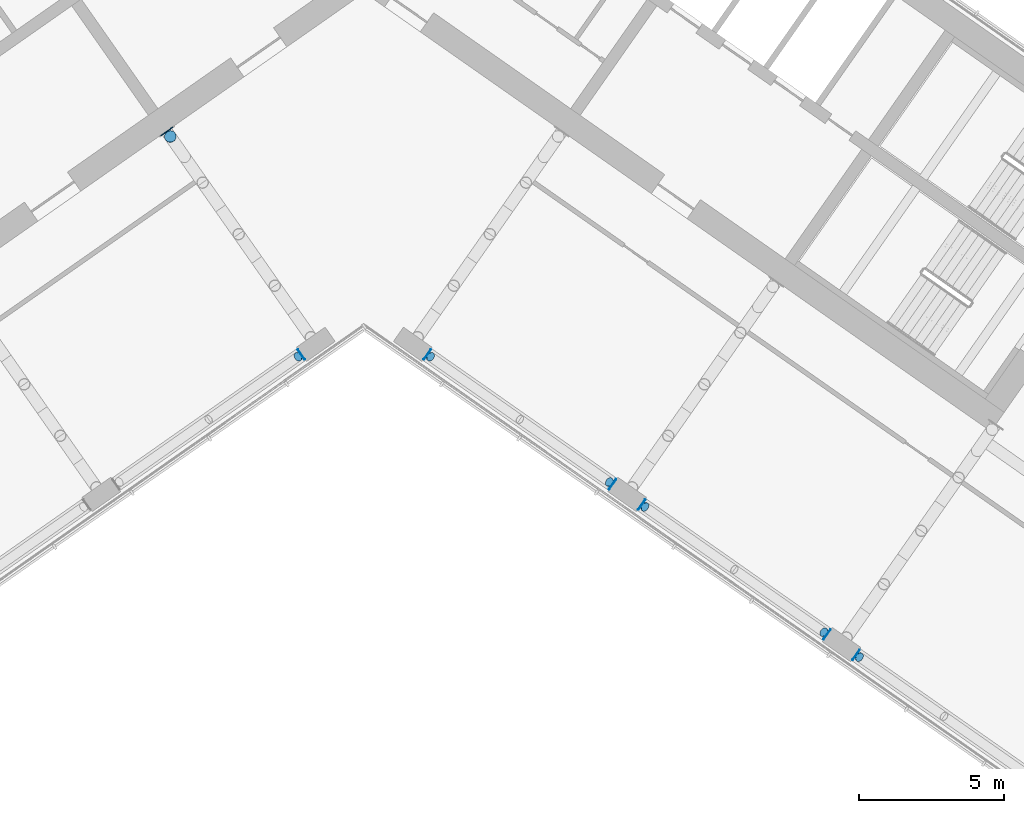
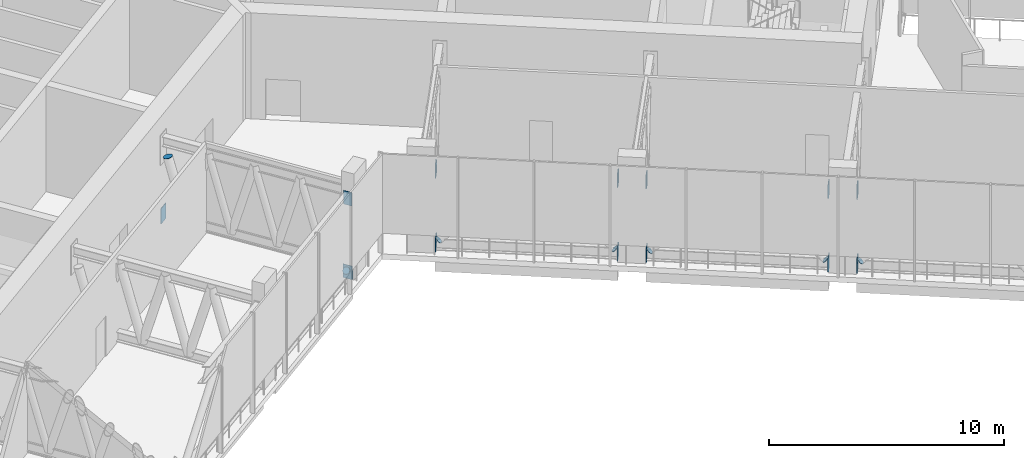
# One storey, part 10 of 19: 20 discrete accessories.
"""IFC4 building model written with IfcOpenShell, lengths in metres."""

from ifc_helpers import new_model, si_unit, direction, frame, origin, origin_2d, place, context, subcontext, project, spatial, rectangle, circle, extrude, material, layer, layer_set, material_profile, profile_set, type_object, element, save


model = new_model("IFC4")

# Units and contexts
model_context = context("Model", 3, precision=1e-05, world=origin(), true_north=direction((0.0, 1.0)))
body_context = subcontext(model_context, "Body", "Model", "MODEL_VIEW")
ifc_project = project(units=[si_unit("LENGTHUNIT", "METRE"), si_unit("AREAUNIT", "SQUARE_METRE"), si_unit("VOLUMEUNIT", "CUBIC_METRE"), si_unit("PLANEANGLEUNIT", "RADIAN"), si_unit("MASSUNIT", "GRAM", prefix="KILO")], contexts=[model_context])

# Site, building, storey
site_placement = place(None, origin())
site = spatial("IfcSite", under=ifc_project, at=site_placement, CompositionType="ELEMENT")
building_placement = place(site_placement, origin())
building = spatial("IfcBuilding", under=site, at=building_placement, Name="Tel Ilan Convention Tower", CompositionType="ELEMENT")
storey_placement = place(building_placement, frame((0.0, 0.0, 213.89990234375)))
storey = spatial("IfcBuildingStorey", under=building, at=storey_placement, Name="L50", CompositionType="ELEMENT", Elevation=213.89990234375)

# Discrete accessories
ifc_material_1 = material(Name="Steel S355", Category="steel")
ifc_layer_1 = layer(ifc_material_1, 0.030029296875)
ifc_layer_set_1 = layer_set([ifc_layer_1], Name="Cast-in Plate 30 mm Steel S355")
discrete_accessory_type_1 = type_object("IfcDiscreteAccessoryType", Name="Cast-in Plate 30 mm Steel S355", PredefinedType="ANCHORPLATE", material=ifc_layer_set_1)
discrete_accessory_1_placement = place(storey_placement, frame((-6.790283203125, -5.99365234375, -0.0498046875), z_axis=(0.0, 0.0, 1.0), x_axis=(-0.573576436351, 0.819152044289, 0.0)))
element("IfcDiscreteAccessory", 1, at=discrete_accessory_1_placement, inside=storey, type_object=discrete_accessory_type_1, Name="L50 W-F1 outrigger cast-in plate", PredefinedType="ANCHORPLATE", context=body_context, shape_type="SweptSolid", body=[
    extrude(rectangle(XDim=0.030029296875, YDim=0.5, at=origin_2d()), origin(), (0.0, 0.0, 1.0), 0.800048828125),
])
ifc_material_2 = material(Name="Steel S355", Category="steel")
ifc_material_profile_1 = material_profile(ifc_material_2, circle(Radius=0.161865234375, at=origin_2d()), Name="End Cap Disc 324 mm Steel S355")
ifc_profile_set_1 = profile_set([ifc_material_profile_1], Name="Steel S355")
discrete_accessory_type_2 = type_object("IfcDiscreteAccessoryType", Name="End Cap Disc 324 mm Steel S355", PredefinedType="BRACKET", material=ifc_profile_set_1)
for number, where, z_axis, x_axis, name in (
    (2, (-2.28173828125, -13.744384765625, 0.49951171875), (0.586019869564, 0.415097407608, -0.695898595108), (-0.57801734078, 0.816024481102, 0.0), "L50 W-F1-W-F2 belt end cap"),
    (3, (2.28173828125, -13.744384765625, 0.49951171875), (-0.586019869564, 0.415097407608, -0.695898595108), (-0.57801734078, -0.816024481102, 0.0), "L50 E-F1-E-F2 belt end cap"),
    (4, (8.421142578125, -18.043212890625, 0.49951171875), (0.586019869564, -0.415097407608, -0.695898595108), (0.57801734078, 0.816024481102, 0.0), "L50 E-F1-E-F2 belt end cap"),
):
    element("IfcDiscreteAccessory", number, at=place(storey_placement, frame(where, z_axis=z_axis, x_axis=x_axis)), inside=storey, type_object=discrete_accessory_type_2, Name=name, PredefinedType="BRACKET", context=body_context, shape_type="SweptSolid", body=[
        extrude(circle(Radius=0.161865234375, at=origin_2d()), origin(), (0.0, 0.0, 1.0), 0.02001953125),
    ])
discrete_accessory_2_placement = place(storey_placement, frame((9.654296875, -18.906494140625, 0.49951171875), z_axis=(-0.588968139066, 0.404915595608, -0.699399665141), x_axis=(-0.566528822887, -0.824041924199, 0.0)))
element("IfcDiscreteAccessory", 5, at=discrete_accessory_2_placement, inside=storey, type_object=discrete_accessory_type_2, Name="L50 E-F2-E-F3 belt end cap", PredefinedType="BRACKET", context=body_context, shape_type="SweptSolid", body=[
    extrude(circle(Radius=0.161865234375, at=origin_2d()), origin(), (0.0, 0.0, 1.0), 0.019775390625),
])
for number, where, z_axis, x_axis, name in (
    (6, (15.79345703125, -23.205322265625, 0.49951171875), (0.586019869564, -0.415097407608, -0.695898595108), (0.57801734078, 0.816024481102, 0.0), "L50 E-F2-E-F3 belt end cap"),
    (7, (17.02880859375, -24.0703125, 0.510498046875), (-0.57084084584, 0.400803147079, -0.716587444777), (-0.574630421476, -0.818413024526, 0.0), "L50 E-F3-E-FC belt end cap"),
):
    element("IfcDiscreteAccessory", number, at=place(storey_placement, frame(where, z_axis=z_axis, x_axis=x_axis)), inside=storey, type_object=discrete_accessory_type_2, Name=name, PredefinedType="BRACKET", context=body_context, shape_type="SweptSolid", body=[
        extrude(circle(Radius=0.161865234375, at=origin_2d()), origin(), (0.0, 0.0, 1.0), 0.02001953125),
    ])
ifc_material_3 = material(Name="Steel S355", Category="steel")
ifc_material_profile_2 = material_profile(ifc_material_3, circle(Radius=0.203125, at=origin_2d()), Name="End Cap Disc 406 mm Steel S355")
ifc_profile_set_2 = profile_set([ifc_material_profile_2], Name="Steel S355")
discrete_accessory_type_3 = type_object("IfcDiscreteAccessoryType", Name="End Cap Disc 406 mm Steel S355", PredefinedType="BRACKET", material=ifc_profile_set_2)
discrete_accessory_3_placement = place(storey_placement, frame((-6.666259765625, -6.17041015625, 3.35400390625), z_axis=(-0.1584188281, 0.2193491466, 0.962699032299), x_axis=(-0.8106792284, -0.585490553844, 0.0)))
element("IfcDiscreteAccessory", 8, at=discrete_accessory_3_placement, inside=storey, type_object=discrete_accessory_type_3, Name="L50 W-F1 outrigger end cap", PredefinedType="BRACKET", context=body_context, shape_type="SweptSolid", body=[
    extrude(circle(Radius=0.203125, at=origin_2d()), origin(), (0.0, 0.0, 1.0), 0.02001953125),
])
ifc_material_4 = material(Name="Steel S355", Category="steel")
ifc_layer_2 = layer(ifc_material_4, 0.02490234375)
ifc_layer_set_2 = layer_set([ifc_layer_2], Name="End Plate 25 mm Steel S355")
discrete_accessory_type_4 = type_object("IfcDiscreteAccessoryType", Name="End Plate 25 mm Steel S355", PredefinedType="BRACKET", material=ifc_layer_set_2)
discrete_accessory_4_placement = place(storey_placement, frame((-2.1669921875, -13.6640625, 0.0), z_axis=(0.0, 0.0, 1.0), x_axis=(0.819152044289, 0.573576436351, 0.0)))
element("IfcDiscreteAccessory", 9, at=discrete_accessory_4_placement, inside=storey, type_object=discrete_accessory_type_4, Name="L50 W-F1-W-F2 belt end plate", PredefinedType="BRACKET", context=body_context, shape_type="SweptSolid", body=[
    extrude(rectangle(XDim=0.02490234375, YDim=0.423828125, at=origin_2d()), origin(), (0.0, 0.0, 1.0), 0.699951171875),
])
discrete_accessory_5_placement = place(storey_placement, frame((-2.1669921875, -13.6640625, 3.8203125), z_axis=(0.0, 0.0, 1.0), x_axis=(0.819152044289, 0.573576436351, 0.0)))
element("IfcDiscreteAccessory", 10, at=discrete_accessory_5_placement, inside=storey, type_object=discrete_accessory_type_4, Name="L50 W-F1-W-F2 belt end plate", PredefinedType="BRACKET", context=body_context, shape_type="SweptSolid", body=[
    extrude(rectangle(XDim=0.02490234375, YDim=0.39990234375, at=origin_2d()), origin(), (0.0, 0.0, 1.0), 0.699951171875),
])
discrete_accessory_6_placement = place(storey_placement, frame((2.1669921875, -13.6640625, 0.0), z_axis=(0.0, 0.0, 1.0), x_axis=(-0.819152044289, 0.573576436351, 0.0)))
element("IfcDiscreteAccessory", 11, at=discrete_accessory_6_placement, inside=storey, type_object=discrete_accessory_type_4, Name="L50 E-F1-E-F2 belt end plate", PredefinedType="BRACKET", context=body_context, shape_type="SweptSolid", body=[
    extrude(rectangle(XDim=0.02490234375, YDim=0.423828125, at=origin_2d()), origin(), (0.0, 0.0, 1.0), 0.699951171875),
])
discrete_accessory_7_placement = place(storey_placement, frame((2.1669921875, -13.6640625, 3.8203125), z_axis=(0.0, 0.0, 1.0), x_axis=(-0.819152044289, 0.573576436351, 0.0)))
element("IfcDiscreteAccessory", 12, at=discrete_accessory_7_placement, inside=storey, type_object=discrete_accessory_type_4, Name="L50 E-F1-E-F2 belt end plate", PredefinedType="BRACKET", context=body_context, shape_type="SweptSolid", body=[
    extrude(rectangle(XDim=0.02490234375, YDim=0.39990234375, at=origin_2d()), origin(), (0.0, 0.0, 1.0), 0.699951171875),
])
discrete_accessory_8_placement = place(storey_placement, frame((8.535888671875, -18.12353515625, 0.0), z_axis=(0.0, 0.0, 1.0), x_axis=(0.819152044289, -0.573576436351, 0.0)))
element("IfcDiscreteAccessory", 13, at=discrete_accessory_8_placement, inside=storey, type_object=discrete_accessory_type_4, Name="L50 E-F1-E-F2 belt end plate", PredefinedType="BRACKET", context=body_context, shape_type="SweptSolid", body=[
    extrude(rectangle(XDim=0.02490234375, YDim=0.423828125, at=origin_2d()), origin(), (0.0, 0.0, 1.0), 0.699951171875),
])
discrete_accessory_9_placement = place(storey_placement, frame((8.535888671875, -18.12353515625, 3.8203125), z_axis=(0.0, 0.0, 1.0), x_axis=(0.819152044289, -0.573576436351, 0.0)))
element("IfcDiscreteAccessory", 14, at=discrete_accessory_9_placement, inside=storey, type_object=discrete_accessory_type_4, Name="L50 E-F1-E-F2 belt end plate", PredefinedType="BRACKET", context=body_context, shape_type="SweptSolid", body=[
    extrude(rectangle(XDim=0.02490234375, YDim=0.39990234375, at=origin_2d()), origin(), (0.0, 0.0, 1.0), 0.699951171875),
])
discrete_accessory_10_placement = place(storey_placement, frame((9.539306640625, -18.826416015625, 0.0), z_axis=(0.0, 0.0, 1.0), x_axis=(-0.819152044289, 0.573576436351, 0.0)))
element("IfcDiscreteAccessory", 15, at=discrete_accessory_10_placement, inside=storey, type_object=discrete_accessory_type_4, Name="L50 E-F2-E-F3 belt end plate", PredefinedType="BRACKET", context=body_context, shape_type="SweptSolid", body=[
    extrude(rectangle(XDim=0.02490234375, YDim=0.423828125, at=origin_2d()), origin(), (0.0, 0.0, 1.0), 0.699951171875),
])
discrete_accessory_11_placement = place(storey_placement, frame((9.539306640625, -18.826416015625, 3.8203125), z_axis=(0.0, 0.0, 1.0), x_axis=(-0.819152044289, 0.573576436351, 0.0)))
element("IfcDiscreteAccessory", 16, at=discrete_accessory_11_placement, inside=storey, type_object=discrete_accessory_type_4, Name="L50 E-F2-E-F3 belt end plate", PredefinedType="BRACKET", context=body_context, shape_type="SweptSolid", body=[
    extrude(rectangle(XDim=0.02490234375, YDim=0.39990234375, at=origin_2d()), origin(), (0.0, 0.0, 1.0), 0.699951171875),
])
discrete_accessory_12_placement = place(storey_placement, frame((15.908203125, -23.285888671875, 0.0), z_axis=(0.0, 0.0, 1.0), x_axis=(0.819152044289, -0.573576436351, 0.0)))
element("IfcDiscreteAccessory", 17, at=discrete_accessory_12_placement, inside=storey, type_object=discrete_accessory_type_4, Name="L50 E-F2-E-F3 belt end plate", PredefinedType="BRACKET", context=body_context, shape_type="SweptSolid", body=[
    extrude(rectangle(XDim=0.02490234375, YDim=0.423828125, at=origin_2d()), origin(), (0.0, 0.0, 1.0), 0.699951171875),
])
discrete_accessory_13_placement = place(storey_placement, frame((15.908203125, -23.285888671875, 3.8203125), z_axis=(0.0, 0.0, 1.0), x_axis=(0.819152044289, -0.573576436351, 0.0)))
element("IfcDiscreteAccessory", 18, at=discrete_accessory_13_placement, inside=storey, type_object=discrete_accessory_type_4, Name="L50 E-F2-E-F3 belt end plate", PredefinedType="BRACKET", context=body_context, shape_type="SweptSolid", body=[
    extrude(rectangle(XDim=0.02490234375, YDim=0.39990234375, at=origin_2d()), origin(), (0.0, 0.0, 1.0), 0.699951171875),
])
discrete_accessory_14_placement = place(storey_placement, frame((16.911865234375, -23.98828125, 0.0), z_axis=(0.0, 0.0, 1.0), x_axis=(-0.819152044289, 0.573576436351, 0.0)))
element("IfcDiscreteAccessory", 19, at=discrete_accessory_14_placement, inside=storey, type_object=discrete_accessory_type_4, Name="L50 E-F3-E-FC belt end plate", PredefinedType="BRACKET", context=body_context, shape_type="SweptSolid", body=[
    extrude(rectangle(XDim=0.02490234375, YDim=0.423828125, at=origin_2d()), origin(), (0.0, 0.0, 1.0), 0.7080078125),
])
discrete_accessory_15_placement = place(storey_placement, frame((16.911865234375, -23.98828125, 3.8203125), z_axis=(0.0, 0.0, 1.0), x_axis=(-0.819152044289, 0.573576436351, 0.0)))
element("IfcDiscreteAccessory", 20, at=discrete_accessory_15_placement, inside=storey, type_object=discrete_accessory_type_4, Name="L50 E-F3-E-FC belt end plate", PredefinedType="BRACKET", context=body_context, shape_type="SweptSolid", body=[
    extrude(rectangle(XDim=0.02490234375, YDim=0.39990234375, at=origin_2d()), origin(), (0.0, 0.0, 1.0), 0.699951171875),
])

save(model, "model.ifc")
